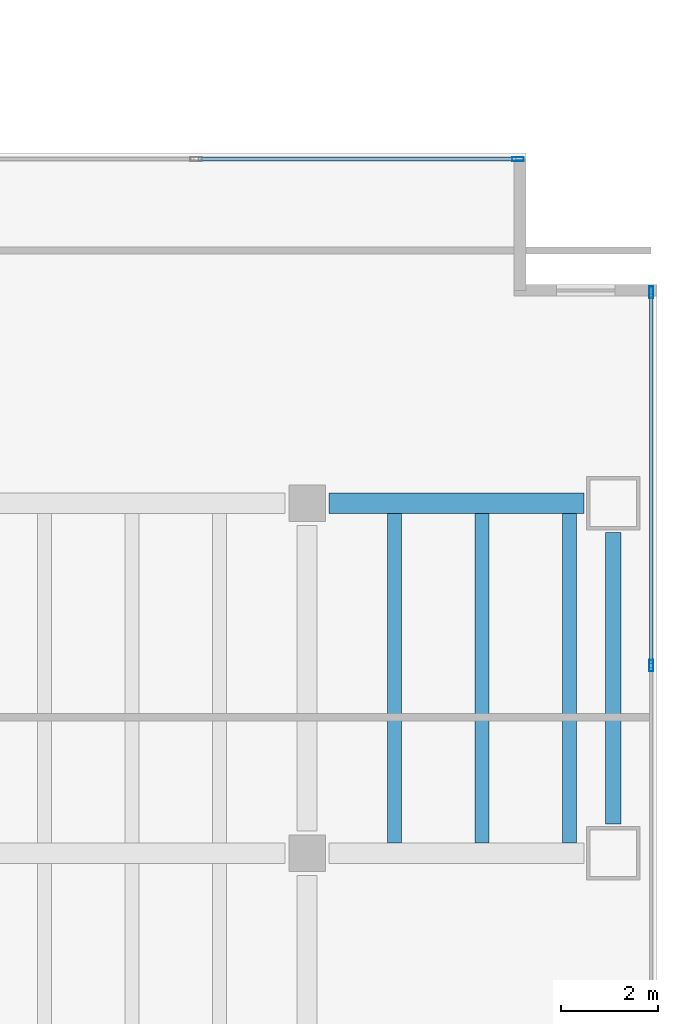
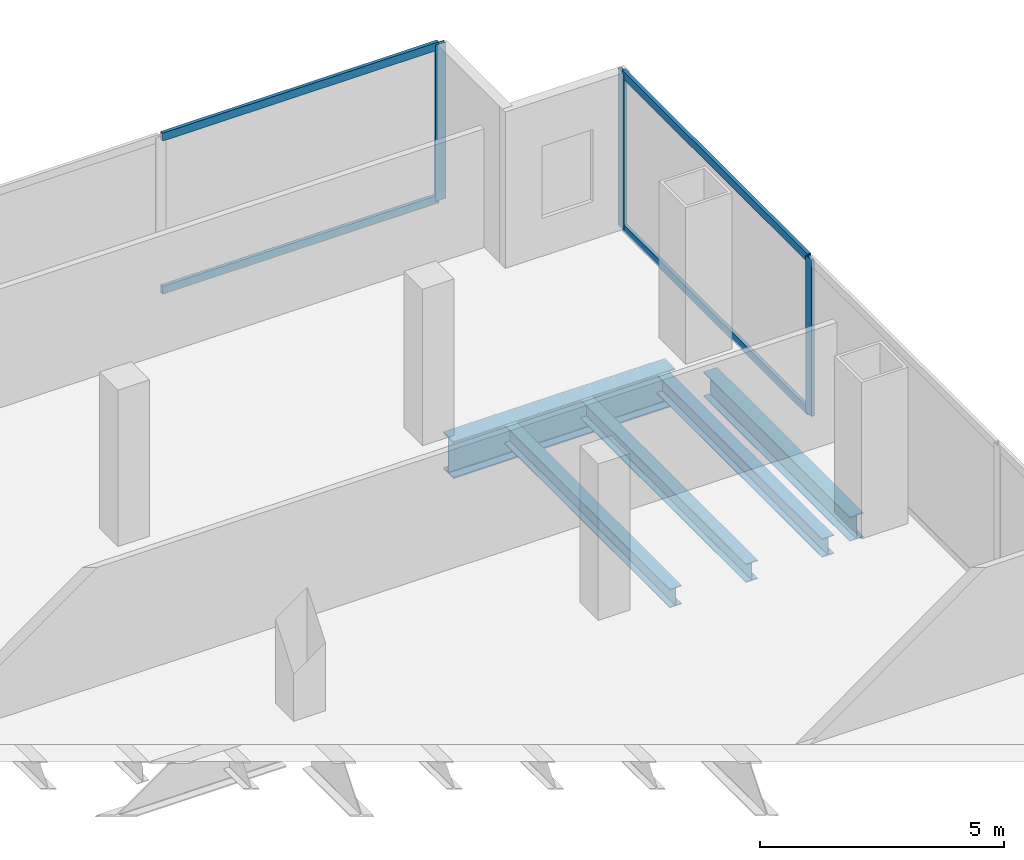
# One storey, part 20 of 28: 7 members, 5 beams, 2 elements without a shape of their own.
"""IFC4 building model written with IfcOpenShell, lengths in metres."""

from ifc_helpers import new_model, si_unit, direction, frame, origin, origin_2d, place, context, subcontext, project, spatial, hollow_rectangle, i_section, extrude, material, material_profile, profile_set, type_object, element, aggregate, save


model = new_model("IFC4")

# Units and contexts
model_context = context("Model", 3, precision=1e-05, world=origin(), true_north=direction((0.0, 1.0)))
body_context = subcontext(model_context, "Body", "Model", "MODEL_VIEW")
ifc_project = project(units=[si_unit("LENGTHUNIT", "METRE"), si_unit("AREAUNIT", "SQUARE_METRE"), si_unit("VOLUMEUNIT", "CUBIC_METRE"), si_unit("PLANEANGLEUNIT", "RADIAN"), si_unit("MASSUNIT", "GRAM", prefix="KILO")], contexts=[model_context])

# Site, building, storey
site_placement = place(None, origin())
site = spatial("IfcSite", under=ifc_project, at=site_placement, CompositionType="ELEMENT")
building_placement = place(site_placement, origin())
building = spatial("IfcBuilding", under=site, at=building_placement, Name="Cobrela Telecom Tower", CompositionType="ELEMENT")
storey_placement = place(building_placement, frame((0.0, 0.0, 17.85009765625)))
storey = spatial("IfcBuildingStorey", under=building, at=storey_placement, Name="L04", CompositionType="ELEMENT", Elevation=17.85009765625)

# Beams
ifc_material_1 = material(Name="Steel ASTM A992 Grade 50", Category="steel")
ifc_material_profile_1 = material_profile(ifc_material_1, i_section(OverallWidth=0.4189453125, OverallDepth=0.927001953125, WebThickness=0.019287109375, FlangeThickness=0.031982421875, FilletRadius=0.02392578125, at=origin_2d()), Name="W36X231")
ifc_profile_set_1 = profile_set([ifc_material_profile_1], Name="Steel ASTM A992 Grade 50")
beam_type_1 = type_object("IfcBeamType", Name="BM-GIRD-02", PredefinedType="USERDEFINED", material=ifc_profile_set_1)
beam_1_placement = place(storey_placement, frame((79.655029296875, 21.60009765625, -0.753662109375), z_axis=(1.0, 0.0, 0.0), x_axis=(0.0, 1.0, 0.0)))
element("IfcBeam", 1, at=beam_1_placement, inside=storey, type_object=beam_type_1, Name="L04 Primary Girder X37", ObjectType="GIRDER", PredefinedType="USERDEFINED", context=body_context, shape_type="SweptSolid", body=[
    extrude(i_section(OverallWidth=0.4189453125, OverallDepth=0.927001953125, WebThickness=0.019287109375, FlangeThickness=0.031982421875, FilletRadius=0.02392578125, at=origin_2d()), origin(), (0.0, 0.0, 1.0), 5.239990234375),
])
ifc_material_profile_2 = material_profile(ifc_material_1, i_section(OverallWidth=0.281982421875, OverallDepth=0.467041015625, WebThickness=0.01220703125, FlangeThickness=0.01953125, FilletRadius=0.012939453125, at=origin_2d()), Name="W18X86")
ifc_profile_set_2 = profile_set([ifc_material_profile_2], Name="Steel ASTM A992 Grade 50")
beam_type_2 = type_object("IfcBeamType", Name="BM-JOIST-02", PredefinedType="JOIST", material=ifc_profile_set_2)
for number, where, z_axis, x_axis, name in (
    (2, (81.0, 14.614501953125, -0.523681640625), (0.0, 1.0, 0.0), (-1.0, 0.0, 0.0), "L04 Secondary Composite Floor Beam J136"),
    (3, (82.800048828125, 14.614501953125, -0.523681640625), (0.0, 1.0, 0.0), (-1.0, 0.0, 0.0), "L04 Secondary Composite Floor Beam J137"),
    (4, (84.60009765625, 14.614501953125, -0.523681640625), (0.0, 1.0, 0.0), (-1.0, 0.0, 0.0), "L04 Secondary Composite Floor Beam J138"),
):
    element("IfcBeam", number, at=place(storey_placement, frame(where, z_axis=z_axis, x_axis=x_axis)), inside=storey, type_object=beam_type_2, Name=name, PredefinedType="JOIST", context=body_context, shape_type="SweptSolid", body=[
        extrude(i_section(OverallWidth=0.281982421875, OverallDepth=0.467041015625, WebThickness=0.01220703125, FlangeThickness=0.01953125, FilletRadius=0.012939453125, at=origin_2d()), origin(), (0.0, 0.0, 1.0), 6.77099609375),
    ])
ifc_material_profile_3 = material_profile(ifc_material_1, i_section(OverallWidth=0.324951171875, OverallDepth=0.612060546875, WebThickness=0.0126953125, FlangeThickness=0.01904296875, FilletRadius=0.014892578125, at=origin_2d()), Name="W24X104")
ifc_profile_set_3 = profile_set([ifc_material_profile_3], Name="Steel ASTM A992 Grade 50")
beam_type_3 = type_object("IfcBeamType", Name="BM-SPAND-02", PredefinedType="SPANDREL", material=ifc_profile_set_3)
beam_2_placement = place(storey_placement, frame((85.5, 15.0048828125, -0.59619140625), z_axis=(0.0, 1.0, 0.0), x_axis=(-1.0, 0.0, 0.0)))
element("IfcBeam", 5, at=beam_2_placement, inside=storey, type_object=beam_type_3, Name="L04 Perimeter Spandrel Y100", PredefinedType="SPANDREL", context=body_context, shape_type="SweptSolid", body=[
    extrude(i_section(OverallWidth=0.324951171875, OverallDepth=0.612060546875, WebThickness=0.0126953125, FlangeThickness=0.01904296875, FilletRadius=0.014892578125, at=origin_2d()), origin(), (0.0, 0.0, 1.0), 5.990234375),
])

# Curtain wall, member
ifc_material_2 = material(Name="Anodized Bronze Aluminium 6063-T6", Category="aluminium")
curtain_wall_type = type_object("IfcCurtainWallType", Name="CW-SYS-CONC", PredefinedType="USERDEFINED", material=ifc_material_2)
curtain_wall_1_placement = place(storey_placement, origin())
curtain_wall_1 = element("IfcCurtainWall", 6, at=curtain_wall_1_placement, inside=storey, type_object=curtain_wall_type, Name="L04 Unitised Bronze Curtain Wall 11", ObjectType="UNITISED CURTAIN WALL", PredefinedType="USERDEFINED")
ifc_material_profile_4 = material_profile(ifc_material_2, hollow_rectangle(XDim=0.080078125, YDim=0.239990234375, WallThickness=0.0048828125, at=origin_2d()), Name="ALU 80x240x5")
ifc_profile_set_4 = profile_set([ifc_material_profile_4], Name="Anodized Bronze Aluminium 6063-T6")
member_type_1 = type_object("IfcMemberType", Name="CW-SYS-CONC-MUL", PredefinedType="MULLION", material=ifc_profile_set_4)
member_1_placement = place(storey_placement, frame((83.5400390625, 28.679931640625, 0.0), z_axis=(0.0, 0.0, 1.0), x_axis=(0.0, 1.0, 0.0)))
member_1 = element("IfcMember", 7, at=member_1_placement, type_object=member_type_1, Name="CW-CONC mullion 6", PredefinedType="MULLION", context=body_context, shape_type="SweptSolid", body=[
    extrude(hollow_rectangle(XDim=0.080078125, YDim=0.239990234375, WallThickness=0.0048828125, at=origin_2d()), origin(), (0.0, 0.0, 1.0), 3.909912109375),
])

# Curtain wall, members
curtain_wall_2_placement = place(storey_placement, origin())
curtain_wall_2 = element("IfcCurtainWall", 8, at=curtain_wall_2_placement, inside=storey, type_object=curtain_wall_type, Name="L04 Unitised Bronze Curtain Wall 14", ObjectType="UNITISED CURTAIN WALL", PredefinedType="USERDEFINED")
member_2_placement = place(storey_placement, frame((86.280029296875, 25.93994140625, 0.0), z_axis=(0.0, 0.0, 1.0), x_axis=(1.0, 0.0, 0.0)))
member_2 = element("IfcMember", 9, at=member_2_placement, type_object=member_type_1, Name="CW-CONC mullion 1", PredefinedType="MULLION", context=body_context, shape_type="SweptSolid", body=[
    extrude(hollow_rectangle(XDim=0.080078125, YDim=0.239990234375, WallThickness=0.0048828125, at=origin_2d()), origin(), (0.0, 0.0, 1.0), 3.909912109375),
])
member_3_placement = place(storey_placement, frame((86.280029296875, 18.260009765625, 0.0), z_axis=(0.0, 0.0, 1.0), x_axis=(1.0, 0.0, 0.0)))
member_3 = element("IfcMember", 10, at=member_3_placement, type_object=member_type_1, Name="CW-CONC mullion 2", PredefinedType="MULLION", context=body_context, shape_type="SweptSolid", body=[
    extrude(hollow_rectangle(XDim=0.080078125, YDim=0.239990234375, WallThickness=0.0048828125, at=origin_2d()), origin(), (0.0, 0.0, 1.0), 3.909912109375),
])

# Member
ifc_material_profile_5 = material_profile(ifc_material_2, hollow_rectangle(XDim=0.080078125, YDim=0.199951171875, WallThickness=0.00390625, at=origin_2d()), Name="ALU 80x200x4")
ifc_profile_set_5 = profile_set([ifc_material_profile_5], Name="Anodized Bronze Aluminium 6063-T6")
member_type_2 = type_object("IfcMemberType", Name="CW-SYS-CONC-TRN", PredefinedType="USERDEFINED", material=ifc_profile_set_5)
member_4_placement = place(storey_placement, frame((76.9599609375, 28.679931640625, 0.039794921875), z_axis=(1.0, 0.0, 0.0), x_axis=(0.0, 1.0, 0.0)))
member_4 = element("IfcMember", 11, at=member_4_placement, type_object=member_type_2, Name="CW-CONC transom 5.1", ObjectType="TRANSOM", PredefinedType="USERDEFINED", context=body_context, shape_type="SweptSolid", body=[
    extrude(hollow_rectangle(XDim=0.080078125, YDim=0.199951171875, WallThickness=0.00390625, at=origin_2d()), origin(), (0.0, 0.0, 1.0), 6.5400390625),
])

member_5_placement = place(storey_placement, frame((76.9599609375, 28.679931640625, 3.869873046875), z_axis=(1.0, 0.0, 0.0), x_axis=(0.0, 1.0, 0.0)))
member_5 = element("IfcMember", 12, at=member_5_placement, type_object=member_type_2, Name="CW-CONC transom 5.2", ObjectType="TRANSOM", PredefinedType="USERDEFINED", context=body_context, shape_type="SweptSolid", body=[
    extrude(hollow_rectangle(XDim=0.080078125, YDim=0.199951171875, WallThickness=0.00390625, at=origin_2d()), origin(), (0.0, 0.0, 1.0), 6.5400390625),
])

aggregate(curtain_wall_1, [member_1, member_4, member_5])

member_6_placement = place(storey_placement, frame((86.280029296875, 25.89990234375, 0.039794921875), z_axis=(0.0, -1.0, 0.0), x_axis=(1.0, 0.0, 0.0)))
member_6 = element("IfcMember", 13, at=member_6_placement, type_object=member_type_2, Name="CW-CONC transom 1.1", ObjectType="TRANSOM", PredefinedType="USERDEFINED", context=body_context, shape_type="SweptSolid", body=[
    extrude(hollow_rectangle(XDim=0.080078125, YDim=0.199951171875, WallThickness=0.00390625, at=origin_2d()), origin(), (0.0, 0.0, 1.0), 7.599853515625),
])

member_7_placement = place(storey_placement, frame((86.280029296875, 25.89990234375, 3.869873046875), z_axis=(0.0, -1.0, 0.0), x_axis=(1.0, 0.0, 0.0)))
member_7 = element("IfcMember", 14, at=member_7_placement, type_object=member_type_2, Name="CW-CONC transom 1.2", ObjectType="TRANSOM", PredefinedType="USERDEFINED", context=body_context, shape_type="SweptSolid", body=[
    extrude(hollow_rectangle(XDim=0.080078125, YDim=0.199951171875, WallThickness=0.00390625, at=origin_2d()), origin(), (0.0, 0.0, 1.0), 7.599853515625),
])

aggregate(curtain_wall_2, [member_2, member_3, member_6, member_7])

save(model, "model.ifc")
